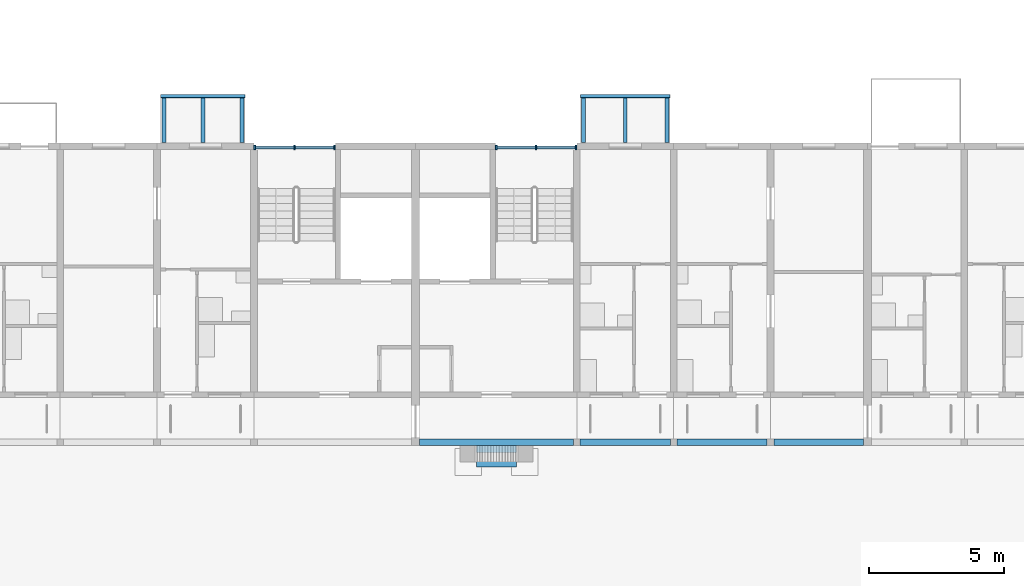
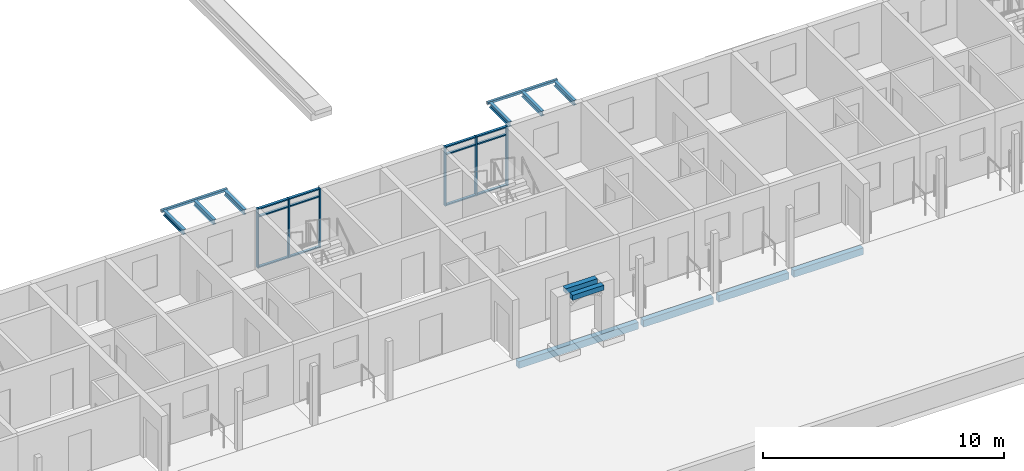
# One storey, part 11 of 115: 18 members, 14 beams, 2 elements without a shape of their own.
"""IFC4 building model written with IfcOpenShell, lengths in metres."""

from ifc_helpers import new_model, si_unit, direction, frame, origin, origin_2d, place, context, subcontext, project, spatial, rectangle, hollow_rectangle, i_section, extrude, material, material_profile, profile_set, type_object, element, aggregate, save


model = new_model("IFC4")

# Units and contexts
model_context = context("Model", 3, precision=1e-05, world=origin(), true_north=direction((0.0, 1.0)))
body_context = subcontext(model_context, "Body", "Model", "MODEL_VIEW")
ifc_project = project(units=[si_unit("LENGTHUNIT", "METRE"), si_unit("AREAUNIT", "SQUARE_METRE"), si_unit("VOLUMEUNIT", "CUBIC_METRE"), si_unit("PLANEANGLEUNIT", "RADIAN"), si_unit("MASSUNIT", "GRAM", prefix="KILO")], contexts=[model_context])

# Site, building, storey
site_placement = place(None, origin())
site = spatial("IfcSite", under=ifc_project, at=site_placement, CompositionType="ELEMENT")
building_placement = place(site_placement, origin())
building = spatial("IfcBuilding", under=site, at=building_placement, Name="Ridgestep Commons", CompositionType="ELEMENT")
storey_placement = place(building_placement, frame((0.0, 0.0, 6.0)))
storey = spatial("IfcBuildingStorey", under=building, at=storey_placement, Name="L02", CompositionType="ELEMENT", Elevation=6.0)

# Beams
ifc_material_1 = material(Name="Precast concrete C40/50", Category="concrete")
ifc_material_profile_1 = material_profile(ifc_material_1, rectangle(XDim=0.25, YDim=0.35009765625, at=origin_2d()), Name="PC 250x350")
ifc_profile_set_1 = profile_set([ifc_material_profile_1], Name="Precast concrete C40/50")
beam_type_1 = type_object("IfcBeamType", Name="Loggia edge beam 250 x 350", PredefinedType="SPANDREL", material=ifc_profile_set_1)
beam_1_placement = place(storey_placement, frame((45.75, 11.875, -0.375), z_axis=(1.0, 0.0, 0.0), x_axis=(0.0, 1.0, 0.0)))
element("IfcBeam", 1, at=beam_1_placement, inside=storey, type_object=beam_type_1, Name="Loggia edge beam A3C L02", PredefinedType="SPANDREL", context=body_context, shape_type="SweptSolid", body=[
    extrude(rectangle(XDim=0.25, YDim=0.35009765625, at=origin_2d()), origin(), (0.0, 0.0, 1.0), 5.72509765625),
])
beam_2_placement = place(storey_placement, frame((51.72509765625, 11.875, -0.375), z_axis=(1.0, 0.0, 0.0), x_axis=(0.0, 1.0, 0.0)))
element("IfcBeam", 2, at=beam_2_placement, inside=storey, type_object=beam_type_1, Name="Loggia edge beam A3T3 L02", PredefinedType="SPANDREL", context=body_context, shape_type="SweptSolid", body=[
    extrude(rectangle(XDim=0.25, YDim=0.35009765625, at=origin_2d()), origin(), (0.0, 0.0, 1.0), 3.349853515625),
])
beam_3_placement = place(storey_placement, frame((55.324951171875, 11.875, -0.375), z_axis=(1.0, 0.0, 0.0), x_axis=(0.0, 1.0, 0.0)))
element("IfcBeam", 3, at=beam_3_placement, inside=storey, type_object=beam_type_1, Name="Loggia edge beam A3T2 L02", PredefinedType="SPANDREL", context=body_context, shape_type="SweptSolid", body=[
    extrude(rectangle(XDim=0.25, YDim=0.35009765625, at=origin_2d()), origin(), (0.0, 0.0, 1.0), 3.35009765625),
])
beam_4_placement = place(storey_placement, frame((58.925048828125, 11.875, -0.375), z_axis=(1.0, 0.0, 0.0), x_axis=(0.0, 1.0, 0.0)))
element("IfcBeam", 4, at=beam_4_placement, inside=storey, type_object=beam_type_1, Name="Loggia edge beam A3T1 L02", PredefinedType="SPANDREL", context=body_context, shape_type="SweptSolid", body=[
    extrude(rectangle(XDim=0.25, YDim=0.35009765625, at=origin_2d()), origin(), (0.0, 0.0, 1.0), 3.324951171875),
])

# Curtain wall, members
ifc_material_2 = material(Name="Aluminium 6063-T6 and glass", Category="aluminium")
curtain_wall_type = type_object("IfcCurtainWallType", Name="Curtain wall stair strip", PredefinedType="NOTDEFINED", material=ifc_material_2)
curtain_wall_1_placement = place(storey_placement, origin())
curtain_wall_1 = element("IfcCurtainWall", 5, at=curtain_wall_1_placement, inside=storey, type_object=curtain_wall_type, Name="Curtain wall A2C level 02", PredefinedType="NOTDEFINED")
ifc_material_3 = material(Name="Aluminium 6063-T6", Category="aluminium")
ifc_material_profile_2 = material_profile(ifc_material_3, rectangle(XDim=0.159912109375, YDim=0.06005859375, at=origin_2d()), Name="Mullion 60 x 160")
ifc_profile_set_2 = profile_set([ifc_material_profile_2], Name="Aluminium 6063-T6")
member_type_1 = type_object("IfcMemberType", Name="Mullion 60 x 160", PredefinedType="MULLION", material=ifc_profile_set_2)
member_1_placement = place(storey_placement, frame((39.6298828125, 22.830078125, 0.0), z_axis=(0.0, 0.0, 1.0), x_axis=(0.0, 1.0, 0.0)))
member_1 = element("IfcMember", 6, at=member_1_placement, type_object=member_type_1, Name="CW1 mullion 1", PredefinedType="MULLION", context=body_context, shape_type="SweptSolid", body=[
    extrude(rectangle(XDim=0.159912109375, YDim=0.06005859375, at=origin_2d()), origin(), (0.0, 0.0, 1.0), 3.0),
])
member_2_placement = place(storey_placement, frame((41.112548828125, 22.830078125, 0.0), z_axis=(0.0, 0.0, 1.0), x_axis=(0.0, 1.0, 0.0)))
member_2 = element("IfcMember", 7, at=member_2_placement, type_object=member_type_1, Name="CW1 mullion 2", PredefinedType="MULLION", context=body_context, shape_type="SweptSolid", body=[
    extrude(rectangle(XDim=0.159912109375, YDim=0.06005859375, at=origin_2d()), origin(), (0.0, 0.0, 1.0), 3.0),
])
member_3_placement = place(storey_placement, frame((42.594970703125, 22.830078125, 0.0), z_axis=(0.0, 0.0, 1.0), x_axis=(0.0, 1.0, 0.0)))
member_3 = element("IfcMember", 8, at=member_3_placement, type_object=member_type_1, Name="CW1 mullion 3", PredefinedType="MULLION", context=body_context, shape_type="SweptSolid", body=[
    extrude(rectangle(XDim=0.159912109375, YDim=0.06005859375, at=origin_2d()), origin(), (0.0, 0.0, 1.0), 3.0),
])

curtain_wall_2_placement = place(storey_placement, origin())
curtain_wall_2 = element("IfcCurtainWall", 9, at=curtain_wall_2_placement, inside=storey, type_object=curtain_wall_type, Name="Curtain wall A3C level 02", PredefinedType="NOTDEFINED")
member_4_placement = place(storey_placement, frame((48.60498046875, 22.830078125, 0.0), z_axis=(0.0, 0.0, 1.0), x_axis=(0.0, 1.0, 0.0)))
member_4 = element("IfcMember", 10, at=member_4_placement, type_object=member_type_1, Name="CW1 mullion 1", PredefinedType="MULLION", context=body_context, shape_type="SweptSolid", body=[
    extrude(rectangle(XDim=0.159912109375, YDim=0.06005859375, at=origin_2d()), origin(), (0.0, 0.0, 1.0), 3.0),
])
member_5_placement = place(storey_placement, frame((50.08740234375, 22.830078125, 0.0), z_axis=(0.0, 0.0, 1.0), x_axis=(0.0, 1.0, 0.0)))
member_5 = element("IfcMember", 11, at=member_5_placement, type_object=member_type_1, Name="CW1 mullion 2", PredefinedType="MULLION", context=body_context, shape_type="SweptSolid", body=[
    extrude(rectangle(XDim=0.159912109375, YDim=0.06005859375, at=origin_2d()), origin(), (0.0, 0.0, 1.0), 3.0),
])
member_6_placement = place(storey_placement, frame((51.570068359375, 22.830078125, 0.0), z_axis=(0.0, 0.0, 1.0), x_axis=(0.0, 1.0, 0.0)))
member_6 = element("IfcMember", 12, at=member_6_placement, type_object=member_type_1, Name="CW1 mullion 3", PredefinedType="MULLION", context=body_context, shape_type="SweptSolid", body=[
    extrude(rectangle(XDim=0.159912109375, YDim=0.06005859375, at=origin_2d()), origin(), (0.0, 0.0, 1.0), 3.0),
])

# Beams
ifc_material_4 = material(Name="Precast concrete C40/50", Category="concrete")
ifc_material_profile_3 = material_profile(ifc_material_4, rectangle(XDim=0.25, YDim=0.25, at=origin_2d()), Name="Portal lintel 250 x 250")
ifc_profile_set_3 = profile_set([ifc_material_profile_3], Name="Precast concrete C40/50")
beam_type_2 = type_object("IfcBeamType", Name="Portal lintel 250 x 250", PredefinedType="BEAM", material=ifc_profile_set_3)
for number, where, z_axis, x_axis, name in (
    (13, (47.862548828125, 11.074951171875, 2.77490234375), (1.0, 0.0, 0.0), (0.0, 1.0, 0.0), "Portal lintel A1"),
    (14, (47.862548828125, 11.625, 2.77490234375), (1.0, 0.0, 0.0), (0.0, 1.0, 0.0), "Portal lintel A2"),
):
    element("IfcBeam", number, at=place(storey_placement, frame(where, z_axis=z_axis, x_axis=x_axis)), inside=storey, type_object=beam_type_2, Name=name, PredefinedType="BEAM", context=body_context, shape_type="SweptSolid", body=[
        extrude(rectangle(XDim=0.25, YDim=0.25, at=origin_2d()), origin(), (0.0, 0.0, 1.0), 1.5),
    ])

# Member
ifc_material_5 = material(Name="Aluminium 6063-T6", Category="aluminium")
ifc_material_profile_4 = material_profile(ifc_material_5, rectangle(XDim=0.1201171875, YDim=0.06005859375, at=origin_2d()), Name="Transom 60 x 120")
ifc_profile_set_4 = profile_set([ifc_material_profile_4], Name="Aluminium 6063-T6")
member_type_2 = type_object("IfcMemberType", Name="Transom 60 x 120", PredefinedType="USERDEFINED", material=ifc_profile_set_4)
member_7_placement = place(storey_placement, frame((39.659912109375, 22.830078125, 0.030029296875), z_axis=(1.0, 0.0, 0.0), x_axis=(0.0, 1.0, 0.0)))
member_7 = element("IfcMember", 15, at=member_7_placement, type_object=member_type_2, Name="CW1 transom 1.1", ObjectType="TRANSOM", PredefinedType="USERDEFINED", context=body_context, shape_type="SweptSolid", body=[
    extrude(rectangle(XDim=0.1201171875, YDim=0.06005859375, at=origin_2d()), origin(), (0.0, 0.0, 1.0), 1.422607421875),
])

member_8_placement = place(storey_placement, frame((39.659912109375, 22.830078125, 2.590087890625), z_axis=(1.0, 0.0, 0.0), x_axis=(0.0, 1.0, 0.0)))
member_8 = element("IfcMember", 16, at=member_8_placement, type_object=member_type_2, Name="CW1 transom 1.2", ObjectType="TRANSOM", PredefinedType="USERDEFINED", context=body_context, shape_type="SweptSolid", body=[
    extrude(rectangle(XDim=0.1201171875, YDim=0.06005859375, at=origin_2d()), origin(), (0.0, 0.0, 1.0), 1.422607421875),
])

member_9_placement = place(storey_placement, frame((39.659912109375, 22.830078125, 2.969970703125), z_axis=(1.0, 0.0, 0.0), x_axis=(0.0, 1.0, 0.0)))
member_9 = element("IfcMember", 17, at=member_9_placement, type_object=member_type_2, Name="CW1 transom 1.3", ObjectType="TRANSOM", PredefinedType="USERDEFINED", context=body_context, shape_type="SweptSolid", body=[
    extrude(rectangle(XDim=0.1201171875, YDim=0.06005859375, at=origin_2d()), origin(), (0.0, 0.0, 1.0), 1.422607421875),
])

member_10_placement = place(storey_placement, frame((41.142578125, 22.830078125, 0.030029296875), z_axis=(1.0, 0.0, 0.0), x_axis=(0.0, 1.0, 0.0)))
member_10 = element("IfcMember", 18, at=member_10_placement, type_object=member_type_2, Name="CW1 transom 2.1", ObjectType="TRANSOM", PredefinedType="USERDEFINED", context=body_context, shape_type="SweptSolid", body=[
    extrude(rectangle(XDim=0.1201171875, YDim=0.06005859375, at=origin_2d()), origin(), (0.0, 0.0, 1.0), 1.42236328125),
])

member_11_placement = place(storey_placement, frame((41.142578125, 22.830078125, 2.590087890625), z_axis=(1.0, 0.0, 0.0), x_axis=(0.0, 1.0, 0.0)))
member_11 = element("IfcMember", 19, at=member_11_placement, type_object=member_type_2, Name="CW1 transom 2.2", ObjectType="TRANSOM", PredefinedType="USERDEFINED", context=body_context, shape_type="SweptSolid", body=[
    extrude(rectangle(XDim=0.1201171875, YDim=0.06005859375, at=origin_2d()), origin(), (0.0, 0.0, 1.0), 1.42236328125),
])

member_12_placement = place(storey_placement, frame((41.142578125, 22.830078125, 2.969970703125), z_axis=(1.0, 0.0, 0.0), x_axis=(0.0, 1.0, 0.0)))
member_12 = element("IfcMember", 20, at=member_12_placement, type_object=member_type_2, Name="CW1 transom 2.3", ObjectType="TRANSOM", PredefinedType="USERDEFINED", context=body_context, shape_type="SweptSolid", body=[
    extrude(rectangle(XDim=0.1201171875, YDim=0.06005859375, at=origin_2d()), origin(), (0.0, 0.0, 1.0), 1.42236328125),
])

aggregate(curtain_wall_1, [member_1, member_2, member_3, member_7, member_8, member_9, member_10, member_11, member_12])

member_13_placement = place(storey_placement, frame((48.635009765625, 22.830078125, 0.030029296875), z_axis=(1.0, 0.0, 0.0), x_axis=(0.0, 1.0, 0.0)))
member_13 = element("IfcMember", 21, at=member_13_placement, type_object=member_type_2, Name="CW1 transom 1.1", ObjectType="TRANSOM", PredefinedType="USERDEFINED", context=body_context, shape_type="SweptSolid", body=[
    extrude(rectangle(XDim=0.1201171875, YDim=0.06005859375, at=origin_2d()), origin(), (0.0, 0.0, 1.0), 1.422607421875),
])

member_14_placement = place(storey_placement, frame((48.635009765625, 22.830078125, 2.590087890625), z_axis=(1.0, 0.0, 0.0), x_axis=(0.0, 1.0, 0.0)))
member_14 = element("IfcMember", 22, at=member_14_placement, type_object=member_type_2, Name="CW1 transom 1.2", ObjectType="TRANSOM", PredefinedType="USERDEFINED", context=body_context, shape_type="SweptSolid", body=[
    extrude(rectangle(XDim=0.1201171875, YDim=0.06005859375, at=origin_2d()), origin(), (0.0, 0.0, 1.0), 1.422607421875),
])

member_15_placement = place(storey_placement, frame((48.635009765625, 22.830078125, 2.969970703125), z_axis=(1.0, 0.0, 0.0), x_axis=(0.0, 1.0, 0.0)))
member_15 = element("IfcMember", 23, at=member_15_placement, type_object=member_type_2, Name="CW1 transom 1.3", ObjectType="TRANSOM", PredefinedType="USERDEFINED", context=body_context, shape_type="SweptSolid", body=[
    extrude(rectangle(XDim=0.1201171875, YDim=0.06005859375, at=origin_2d()), origin(), (0.0, 0.0, 1.0), 1.422607421875),
])

member_16_placement = place(storey_placement, frame((50.117431640625, 22.830078125, 0.030029296875), z_axis=(1.0, 0.0, 0.0), x_axis=(0.0, 1.0, 0.0)))
member_16 = element("IfcMember", 24, at=member_16_placement, type_object=member_type_2, Name="CW1 transom 2.1", ObjectType="TRANSOM", PredefinedType="USERDEFINED", context=body_context, shape_type="SweptSolid", body=[
    extrude(rectangle(XDim=0.1201171875, YDim=0.06005859375, at=origin_2d()), origin(), (0.0, 0.0, 1.0), 1.422607421875),
])

member_17_placement = place(storey_placement, frame((50.117431640625, 22.830078125, 2.590087890625), z_axis=(1.0, 0.0, 0.0), x_axis=(0.0, 1.0, 0.0)))
member_17 = element("IfcMember", 25, at=member_17_placement, type_object=member_type_2, Name="CW1 transom 2.2", ObjectType="TRANSOM", PredefinedType="USERDEFINED", context=body_context, shape_type="SweptSolid", body=[
    extrude(rectangle(XDim=0.1201171875, YDim=0.06005859375, at=origin_2d()), origin(), (0.0, 0.0, 1.0), 1.422607421875),
])

member_18_placement = place(storey_placement, frame((50.117431640625, 22.830078125, 2.969970703125), z_axis=(1.0, 0.0, 0.0), x_axis=(0.0, 1.0, 0.0)))
member_18 = element("IfcMember", 26, at=member_18_placement, type_object=member_type_2, Name="CW1 transom 2.3", ObjectType="TRANSOM", PredefinedType="USERDEFINED", context=body_context, shape_type="SweptSolid", body=[
    extrude(rectangle(XDim=0.1201171875, YDim=0.06005859375, at=origin_2d()), origin(), (0.0, 0.0, 1.0), 1.422607421875),
])

aggregate(curtain_wall_2, [member_4, member_5, member_6, member_13, member_14, member_15, member_16, member_17, member_18])

# Beams
ifc_material_6 = material(Name="Weathering steel S355J2W", Category="steel")
ifc_material_profile_5 = material_profile(ifc_material_6, i_section(OverallWidth=0.14599609375, OverallDepth=0.25146484375, WebThickness=0.006103515625, FlangeThickness=0.008544921875, FilletRadius=0.007568359375, at=origin_2d()), Name="UB 254x146x31")
ifc_profile_set_5 = profile_set([ifc_material_profile_5], Name="Weathering steel S355J2W")
beam_type_3 = type_object("IfcBeamType", Name="Tray arm UB 254x146x31", PredefinedType="BEAM", material=ifc_profile_set_5)
for number, where, z_axis, x_axis, name in (
    (27, (36.25, 23.014892578125, 2.8642578125), (0.0, 1.0, 0.0), (-1.0, 0.0, 0.0), "Tray arm A2T3-03.1"),
    (28, (37.699951171875, 23.014892578125, 2.8642578125), (0.0, 1.0, 0.0), (-1.0, 0.0, 0.0), "Tray arm A2T3-03.2"),
    (29, (39.14990234375, 23.014892578125, 2.8642578125), (0.0, 1.0, 0.0), (-1.0, 0.0, 0.0), "Tray arm A2T3-03.3"),
    (30, (51.85009765625, 23.014892578125, 2.8642578125), (0.0, 1.0, 0.0), (-1.0, 0.0, 0.0), "Tray arm A3T3-03.1"),
    (31, (53.39990234375, 23.014892578125, 2.8642578125), (0.0, 1.0, 0.0), (-1.0, 0.0, 0.0), "Tray arm A3T3-03.2"),
    (32, (54.949951171875, 23.014892578125, 2.8642578125), (0.0, 1.0, 0.0), (-1.0, 0.0, 0.0), "Tray arm A3T3-03.3"),
):
    element("IfcBeam", number, at=place(storey_placement, frame(where, z_axis=z_axis, x_axis=x_axis)), inside=storey, type_object=beam_type_3, Name=name, PredefinedType="BEAM", context=body_context, shape_type="SweptSolid", body=[
        extrude(i_section(OverallWidth=0.14599609375, OverallDepth=0.25146484375, WebThickness=0.006103515625, FlangeThickness=0.008544921875, FilletRadius=0.007568359375, at=origin_2d()), origin(), (0.0, 0.0, 1.0), 1.6650390625),
    ])
ifc_material_7 = material(Name="Weathering steel S355J2W", Category="steel")
ifc_material_profile_6 = material_profile(ifc_material_7, hollow_rectangle(XDim=0.1201171875, YDim=0.1201171875, WallThickness=0.00634765625, InnerFilletRadius=0.00634765625, OuterFilletRadius=0.009521484375, at=origin_2d()), Name="SHS 120x120x6.3")
ifc_profile_set_6 = profile_set([ifc_material_profile_6], Name="Weathering steel S355J2W")
beam_type_4 = type_object("IfcBeamType", Name="Tray edge member SHS 120x120x6.3", PredefinedType="BEAM", material=ifc_profile_set_6)
beam_5_placement = place(storey_placement, frame((36.1298828125, 24.739990234375, 2.929931640625), z_axis=(1.0, 0.0, 0.0), x_axis=(0.0, 0.0, 1.0)))
element("IfcBeam", 33, at=beam_5_placement, inside=storey, type_object=beam_type_4, Name="Tray edge member A2T3-03", PredefinedType="BEAM", context=body_context, shape_type="SweptSolid", body=[
    extrude(hollow_rectangle(XDim=0.1201171875, YDim=0.1201171875, WallThickness=0.00634765625, InnerFilletRadius=0.00634765625, OuterFilletRadius=0.009521484375, at=origin_2d()), origin(), (0.0, 0.0, 1.0), 3.14013671875),
])
beam_6_placement = place(storey_placement, frame((51.72998046875, 24.739990234375, 2.929931640625), z_axis=(1.0, 0.0, 0.0), x_axis=(0.0, 0.0, 1.0)))
element("IfcBeam", 34, at=beam_6_placement, inside=storey, type_object=beam_type_4, Name="Tray edge member A3T3-03", PredefinedType="BEAM", context=body_context, shape_type="SweptSolid", body=[
    extrude(hollow_rectangle(XDim=0.1201171875, YDim=0.1201171875, WallThickness=0.00634765625, InnerFilletRadius=0.00634765625, OuterFilletRadius=0.009521484375, at=origin_2d()), origin(), (0.0, 0.0, 1.0), 3.340087890625),
])

save(model, "model.ifc")
